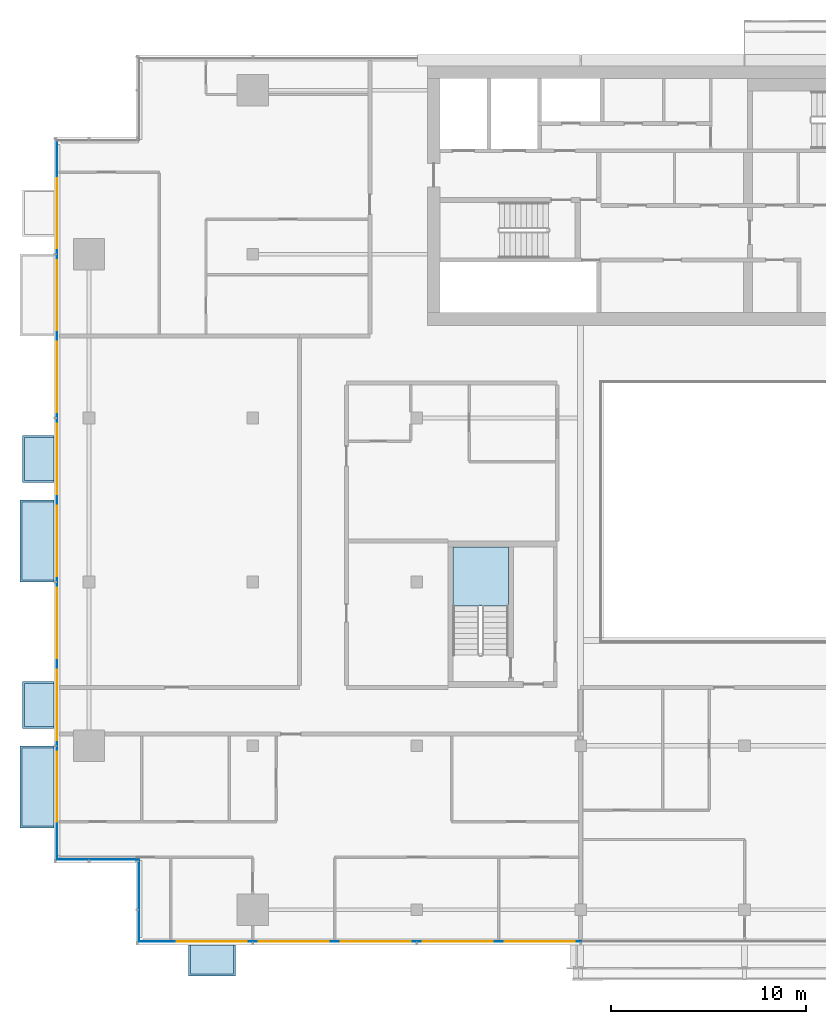
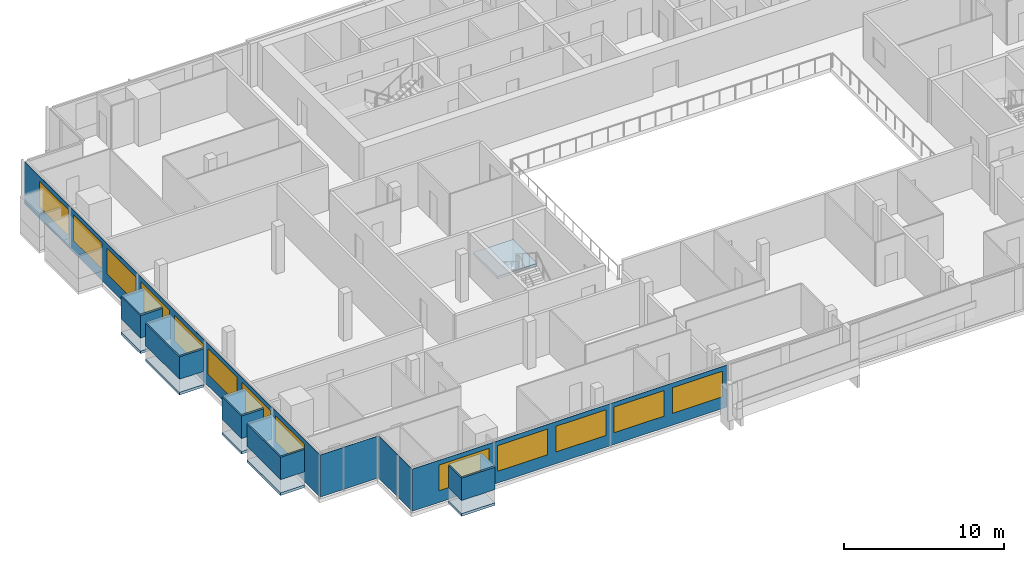
# One storey, part 14 of 27: 14 plates, 13 windows, 6 slabs, 13 openings, 5 elements without a shape of their own.
"""IFC4 building model written with IfcOpenShell, lengths in metres."""

from ifc_helpers import new_model, si_unit, direction, frame, frame_2d, origin, place, context, subcontext, project, spatial, polyline, rectangle, outline, extrude, material, layer, layer_set, type_object, element, fill, aggregate, save


model = new_model("IFC4")

# Units and contexts
model_context = context("Model", 3, precision=1e-05, world=origin(), true_north=direction((0.0, 1.0)))
body_context = subcontext(model_context, "Body", "Model", "MODEL_VIEW")
ifc_project = project(units=[si_unit("LENGTHUNIT", "METRE"), si_unit("AREAUNIT", "SQUARE_METRE"), si_unit("VOLUMEUNIT", "CUBIC_METRE"), si_unit("PLANEANGLEUNIT", "RADIAN"), si_unit("MASSUNIT", "GRAM", prefix="KILO")], contexts=[model_context])

# Site, building, storey
site_placement = place(None, origin())
site = spatial("IfcSite", under=ifc_project, at=site_placement, CompositionType="ELEMENT")
building_placement = place(site_placement, origin())
building = spatial("IfcBuilding", under=site, at=building_placement, Name="Saffron Gate Tower", CompositionType="ELEMENT")
storey_placement = place(building_placement, frame((0.0, 0.0, 209.10009765625)))
storey = spatial("IfcBuildingStorey", under=building, at=storey_placement, Name="L50", CompositionType="ELEMENT", Elevation=209.10009765625)

# Curtain wall, plate, openings, windows
ifc_material_1 = material(Name="Aluminium, bronze anodised", Category="aluminium")
curtain_wall_type_1 = type_object("IfcCurtainWallType", Name="CWS1 curtain wall front facade", PredefinedType="NOTDEFINED", material=ifc_material_1)
curtain_wall_1_placement = place(storey_placement, origin())
curtain_wall_1 = element("IfcCurtainWall", 1, at=curtain_wall_1_placement, inside=storey, type_object=curtain_wall_type_1, Name="CWS1 run 1", PredefinedType="NOTDEFINED")
ifc_material_2 = material(Name="Fritted bronze-tinted laminated glass", Category="glass")
ifc_layer_1 = layer(ifc_material_2, 0.028076171875)
ifc_layer_set_1 = layer_set([ifc_layer_1], Name="CWS1 fixed glass")
plate_type_1 = type_object("IfcPlateType", Name="CWS1 fixed glass", PredefinedType="CURTAIN_PANEL", material=ifc_layer_set_1)
plate_1_placement = place(storey_placement, frame((52.387939453125, 30.174072265625, 0.0), z_axis=(0.0, 0.0, 1.0), x_axis=(1.0, 0.0, 0.0)))
plate_1 = element("IfcPlate", 2, at=plate_1_placement, type_object=plate_type_1, Name="CWS1 glass panel", PredefinedType="CURTAIN_PANEL", context=body_context, shape_type="SweptSolid", body=[
    extrude(rectangle(XDim=22.64208984375, YDim=0.028076171875, at=frame_2d((11.321044921875, 0.0))), origin(), (0.0, 0.0, 1.0), 3.199951171875),
])
opening_1_placement = place(plate_1_placement, frame((1.912109375, 0.0, 0.89990234375)))
opening_1 = element("IfcOpeningElement", 3, at=opening_1_placement, cuts=plate_1, Name="Opening W1", PredefinedType="OPENING", context=body_context, shape_type="SweptSolid", body=[
    extrude(rectangle(XDim=3.60009765625, YDim=1.949951171875, at=frame_2d((1.800048828125, 0.97509765625))), frame((0.0, 0.02392578125, 0.0), z_axis=(0.0, -1.0, 0.0), x_axis=(1.0, 0.0, 0.0)), (0.0, 0.0, 1.0), 0.048095703125),
])
opening_2_placement = place(plate_1_placement, frame((6.112060546875, 0.0, 0.89990234375)))
opening_2 = element("IfcOpeningElement", 4, at=opening_2_placement, cuts=plate_1, Name="Opening W1", PredefinedType="OPENING", context=body_context, shape_type="SweptSolid", body=[
    extrude(rectangle(XDim=3.60009765625, YDim=1.949951171875, at=frame_2d((1.800048828125, 0.97509765625))), frame((0.0, 0.02392578125, 0.0), z_axis=(0.0, -1.0, 0.0), x_axis=(1.0, 0.0, 0.0)), (0.0, 0.0, 1.0), 0.048095703125),
])
opening_3_placement = place(plate_1_placement, frame((10.31201171875, 0.0, 0.89990234375)))
opening_3 = element("IfcOpeningElement", 5, at=opening_3_placement, cuts=plate_1, Name="Opening W1", PredefinedType="OPENING", context=body_context, shape_type="SweptSolid", body=[
    extrude(rectangle(XDim=3.60009765625, YDim=1.949951171875, at=frame_2d((1.800048828125, 0.97509765625))), frame((0.0, 0.02392578125, 0.0), z_axis=(0.0, -1.0, 0.0), x_axis=(1.0, 0.0, 0.0)), (0.0, 0.0, 1.0), 0.048095703125),
])
opening_4_placement = place(plate_1_placement, frame((14.511962890625, 0.0, 0.89990234375)))
opening_4 = element("IfcOpeningElement", 6, at=opening_4_placement, cuts=plate_1, Name="Opening W1", PredefinedType="OPENING", context=body_context, shape_type="SweptSolid", body=[
    extrude(rectangle(XDim=3.60009765625, YDim=1.949951171875, at=frame_2d((1.800048828125, 0.97509765625))), frame((0.0, 0.02392578125, 0.0), z_axis=(0.0, -1.0, 0.0), x_axis=(1.0, 0.0, 0.0)), (0.0, 0.0, 1.0), 0.048095703125),
])
opening_5_placement = place(plate_1_placement, frame((18.7119140625, 0.0, 0.89990234375)))
opening_5 = element("IfcOpeningElement", 7, at=opening_5_placement, cuts=plate_1, Name="Opening W1", PredefinedType="OPENING", context=body_context, shape_type="SweptSolid", body=[
    extrude(rectangle(XDim=3.60009765625, YDim=1.949951171875, at=frame_2d((1.800048828125, 0.97509765625))), frame((0.0, 0.02392578125, 0.0), z_axis=(0.0, -1.0, 0.0), x_axis=(1.0, 0.0, 0.0)), (0.0, 0.0, 1.0), 0.048095703125),
])
ifc_material_3 = material(Name="Fritted bronze-tinted laminated glass in bronze frame", Category="glass")
ifc_layer_2 = layer(ifc_material_3, 0.06005859375)
ifc_layer_set_2 = layer_set([ifc_layer_2], Name="W1 operable panel 3600x1950")
window_type = type_object("IfcWindowType", Name="W1 operable panel 3600x1950", PartitioningType="DOUBLE_PANEL_HORIZONTAL", PredefinedType="WINDOW", material=ifc_layer_set_2)
window_1_placement = place(opening_1_placement, origin())
window_1 = element("IfcWindow", 8, at=window_1_placement, type_object=window_type, Name="W1 operable panel", OverallHeight=1.949951171875, OverallWidth=3.60009765625, PartitioningType="SINGLE_PANEL", PredefinedType="WINDOW", context=body_context, shape_type="SweptSolid", body=[
    extrude(rectangle(XDim=3.60009765625, YDim=1.949951171875, at=frame_2d((1.800048828125, 0.97509765625))), frame((0.0, 0.013671875, 0.0), z_axis=(0.0, -1.0, 0.0), x_axis=(1.0, 0.0, 0.0)), (0.0, 0.0, 1.0), 0.027587890625),
])
fill(opening_1, window_1)
window_2_placement = place(opening_2_placement, origin())
window_2 = element("IfcWindow", 9, at=window_2_placement, type_object=window_type, Name="W1 operable panel", OverallHeight=1.949951171875, OverallWidth=3.60009765625, PartitioningType="SINGLE_PANEL", PredefinedType="WINDOW", context=body_context, shape_type="SweptSolid", body=[
    extrude(rectangle(XDim=3.60009765625, YDim=1.949951171875, at=frame_2d((1.800048828125, 0.97509765625))), frame((0.0, 0.013671875, 0.0), z_axis=(0.0, -1.0, 0.0), x_axis=(1.0, 0.0, 0.0)), (0.0, 0.0, 1.0), 0.027587890625),
])
fill(opening_2, window_2)
window_3_placement = place(opening_3_placement, origin())
window_3 = element("IfcWindow", 10, at=window_3_placement, type_object=window_type, Name="W1 operable panel", OverallHeight=1.949951171875, OverallWidth=3.60009765625, PartitioningType="SINGLE_PANEL", PredefinedType="WINDOW", context=body_context, shape_type="SweptSolid", body=[
    extrude(rectangle(XDim=3.60009765625, YDim=1.949951171875, at=frame_2d((1.800048828125, 0.97509765625))), frame((0.0, 0.013671875, 0.0), z_axis=(0.0, -1.0, 0.0), x_axis=(1.0, 0.0, 0.0)), (0.0, 0.0, 1.0), 0.027587890625),
])
fill(opening_3, window_3)
window_4_placement = place(opening_4_placement, origin())
window_4 = element("IfcWindow", 11, at=window_4_placement, type_object=window_type, Name="W1 operable panel", OverallHeight=1.949951171875, OverallWidth=3.60009765625, PartitioningType="SINGLE_PANEL", PredefinedType="WINDOW", context=body_context, shape_type="SweptSolid", body=[
    extrude(rectangle(XDim=3.60009765625, YDim=1.949951171875, at=frame_2d((1.800048828125, 0.97509765625))), frame((0.0, 0.013671875, 0.0), z_axis=(0.0, -1.0, 0.0), x_axis=(1.0, 0.0, 0.0)), (0.0, 0.0, 1.0), 0.027587890625),
])
fill(opening_4, window_4)
window_5_placement = place(opening_5_placement, origin())
window_5 = element("IfcWindow", 12, at=window_5_placement, type_object=window_type, Name="W1 operable panel", OverallHeight=1.949951171875, OverallWidth=3.60009765625, PartitioningType="SINGLE_PANEL", PredefinedType="WINDOW", context=body_context, shape_type="SweptSolid", body=[
    extrude(rectangle(XDim=3.60009765625, YDim=1.949951171875, at=frame_2d((1.800048828125, 0.97509765625))), frame((0.0, 0.013671875, 0.0), z_axis=(0.0, -1.0, 0.0), x_axis=(1.0, 0.0, 0.0)), (0.0, 0.0, 1.0), 0.027587890625),
])
fill(opening_5, window_5)
aggregate(curtain_wall_1, [plate_1, window_1, window_2, window_3, window_4, window_5])

curtain_wall_type_2 = type_object("IfcCurtainWallType", Name="CWS2 curtain wall side facades", PredefinedType="NOTDEFINED", material=ifc_material_1)
curtain_wall_2_placement = place(storey_placement, origin())
curtain_wall_2 = element("IfcCurtainWall", 13, at=curtain_wall_2_placement, inside=storey, type_object=curtain_wall_type_2, Name="CWS2 run 10", PredefinedType="NOTDEFINED")
ifc_layer_3 = layer(ifc_material_2, 0.028076171875)
ifc_layer_set_3 = layer_set([ifc_layer_3], Name="CWS2 fixed glass")
plate_type_2 = type_object("IfcPlateType", Name="CWS2 fixed glass", PredefinedType="CURTAIN_PANEL", material=ifc_layer_set_3)
plate_2_placement = place(storey_placement, frame((48.174072265625, 71.2119140625, 0.0), z_axis=(0.0, 0.0, 1.0), x_axis=(0.0, -1.0, 0.0)))
plate_2 = element("IfcPlate", 14, at=plate_2_placement, type_object=plate_type_2, Name="CWS2 glass panel", PredefinedType="CURTAIN_PANEL", context=body_context, shape_type="SweptSolid", body=[
    extrude(rectangle(XDim=36.823974609375, YDim=0.028076171875, at=frame_2d((18.412109375, 0.0))), origin(), (0.0, 0.0, 1.0), 3.199951171875),
])
opening_6_placement = place(plate_2_placement, frame((1.912109375, 0.0, 0.89990234375)))
opening_6 = element("IfcOpeningElement", 15, at=opening_6_placement, cuts=plate_2, Name="Opening W1", PredefinedType="OPENING", context=body_context, shape_type="SweptSolid", body=[
    extrude(rectangle(XDim=3.60009765625, YDim=1.949951171875, at=frame_2d((1.800048828125, 0.97509765625))), frame((0.0, 0.02392578125, 0.0), z_axis=(0.0, -1.0, 0.0), x_axis=(1.0, 0.0, 0.0)), (0.0, 0.0, 1.0), 0.048095703125),
])
opening_7_placement = place(plate_2_placement, frame((6.112060546875, 0.0, 0.89990234375)))
opening_7 = element("IfcOpeningElement", 16, at=opening_7_placement, cuts=plate_2, Name="Opening W1", PredefinedType="OPENING", context=body_context, shape_type="SweptSolid", body=[
    extrude(rectangle(XDim=3.60009765625, YDim=1.949951171875, at=frame_2d((1.800048828125, 0.97509765625))), frame((0.0, 0.02392578125, 0.0), z_axis=(0.0, -1.0, 0.0), x_axis=(1.0, 0.0, 0.0)), (0.0, 0.0, 1.0), 0.048095703125),
])
opening_8_placement = place(plate_2_placement, frame((10.31201171875, 0.0, 0.89990234375)))
opening_8 = element("IfcOpeningElement", 17, at=opening_8_placement, cuts=plate_2, Name="Opening W1", PredefinedType="OPENING", context=body_context, shape_type="SweptSolid", body=[
    extrude(rectangle(XDim=3.60009765625, YDim=1.949951171875, at=frame_2d((1.800048828125, 0.97509765625))), frame((0.0, 0.02392578125, 0.0), z_axis=(0.0, -1.0, 0.0), x_axis=(1.0, 0.0, 0.0)), (0.0, 0.0, 1.0), 0.048095703125),
])
opening_9_placement = place(plate_2_placement, frame((14.511962890625, 0.0, 0.89990234375)))
opening_9 = element("IfcOpeningElement", 18, at=opening_9_placement, cuts=plate_2, Name="Opening W1", PredefinedType="OPENING", context=body_context, shape_type="SweptSolid", body=[
    extrude(rectangle(XDim=3.60009765625, YDim=1.949951171875, at=frame_2d((1.800048828125, 0.97509765625))), frame((0.0, 0.02392578125, 0.0), z_axis=(0.0, -1.0, 0.0), x_axis=(1.0, 0.0, 0.0)), (0.0, 0.0, 1.0), 0.048095703125),
])
opening_10_placement = place(plate_2_placement, frame((18.7119140625, 0.0, 0.89990234375)))
opening_10 = element("IfcOpeningElement", 19, at=opening_10_placement, cuts=plate_2, Name="Opening W1", PredefinedType="OPENING", context=body_context, shape_type="SweptSolid", body=[
    extrude(rectangle(XDim=3.60009765625, YDim=1.949951171875, at=frame_2d((1.800048828125, 0.97509765625))), frame((0.0, 0.02392578125, 0.0), z_axis=(0.0, -1.0, 0.0), x_axis=(1.0, 0.0, 0.0)), (0.0, 0.0, 1.0), 0.048095703125),
])
opening_11_placement = place(plate_2_placement, frame((22.912109375, 0.0, 0.89990234375)))
opening_11 = element("IfcOpeningElement", 20, at=opening_11_placement, cuts=plate_2, Name="Opening W1", PredefinedType="OPENING", context=body_context, shape_type="SweptSolid", body=[
    extrude(rectangle(XDim=3.60009765625, YDim=1.949951171875, at=frame_2d((1.800048828125, 0.97509765625))), frame((0.0, 0.02392578125, 0.0), z_axis=(0.0, -1.0, 0.0), x_axis=(1.0, 0.0, 0.0)), (0.0, 0.0, 1.0), 0.048095703125),
])
opening_12_placement = place(plate_2_placement, frame((27.112060546875, 0.0, 0.89990234375)))
opening_12 = element("IfcOpeningElement", 21, at=opening_12_placement, cuts=plate_2, Name="Opening W1", PredefinedType="OPENING", context=body_context, shape_type="SweptSolid", body=[
    extrude(rectangle(XDim=3.60009765625, YDim=1.949951171875, at=frame_2d((1.800048828125, 0.97509765625))), frame((0.0, 0.02392578125, 0.0), z_axis=(0.0, -1.0, 0.0), x_axis=(1.0, 0.0, 0.0)), (0.0, 0.0, 1.0), 0.048095703125),
])
opening_13_placement = place(plate_2_placement, frame((31.31201171875, 0.0, 0.89990234375)))
opening_13 = element("IfcOpeningElement", 22, at=opening_13_placement, cuts=plate_2, Name="Opening W1", PredefinedType="OPENING", context=body_context, shape_type="SweptSolid", body=[
    extrude(rectangle(XDim=3.60009765625, YDim=1.949951171875, at=frame_2d((1.800048828125, 0.97509765625))), frame((0.0, 0.02392578125, 0.0), z_axis=(0.0, -1.0, 0.0), x_axis=(1.0, 0.0, 0.0)), (0.0, 0.0, 1.0), 0.048095703125),
])
window_6_placement = place(opening_6_placement, origin())
window_6 = element("IfcWindow", 23, at=window_6_placement, type_object=window_type, Name="W1 operable panel", OverallHeight=1.949951171875, OverallWidth=3.60009765625, PartitioningType="SINGLE_PANEL", PredefinedType="WINDOW", context=body_context, shape_type="SweptSolid", body=[
    extrude(rectangle(XDim=3.60009765625, YDim=1.949951171875, at=frame_2d((1.800048828125, 0.97509765625))), frame((0.0, 0.013671875, 0.0), z_axis=(0.0, -1.0, 0.0), x_axis=(1.0, 0.0, 0.0)), (0.0, 0.0, 1.0), 0.027587890625),
])
fill(opening_6, window_6)
window_7_placement = place(opening_7_placement, origin())
window_7 = element("IfcWindow", 24, at=window_7_placement, type_object=window_type, Name="W1 operable panel", OverallHeight=1.949951171875, OverallWidth=3.60009765625, PartitioningType="SINGLE_PANEL", PredefinedType="WINDOW", context=body_context, shape_type="SweptSolid", body=[
    extrude(rectangle(XDim=3.60009765625, YDim=1.949951171875, at=frame_2d((1.800048828125, 0.97509765625))), frame((0.0, 0.013671875, 0.0), z_axis=(0.0, -1.0, 0.0), x_axis=(1.0, 0.0, 0.0)), (0.0, 0.0, 1.0), 0.027587890625),
])
fill(opening_7, window_7)
window_8_placement = place(opening_8_placement, origin())
window_8 = element("IfcWindow", 25, at=window_8_placement, type_object=window_type, Name="W1 operable panel", OverallHeight=1.949951171875, OverallWidth=3.60009765625, PartitioningType="SINGLE_PANEL", PredefinedType="WINDOW", context=body_context, shape_type="SweptSolid", body=[
    extrude(rectangle(XDim=3.60009765625, YDim=1.949951171875, at=frame_2d((1.800048828125, 0.97509765625))), frame((0.0, 0.013671875, 0.0), z_axis=(0.0, -1.0, 0.0), x_axis=(1.0, 0.0, 0.0)), (0.0, 0.0, 1.0), 0.027587890625),
])
fill(opening_8, window_8)
window_9_placement = place(opening_9_placement, origin())
window_9 = element("IfcWindow", 26, at=window_9_placement, type_object=window_type, Name="W1 operable panel", OverallHeight=1.949951171875, OverallWidth=3.60009765625, PartitioningType="SINGLE_PANEL", PredefinedType="WINDOW", context=body_context, shape_type="SweptSolid", body=[
    extrude(rectangle(XDim=3.60009765625, YDim=1.949951171875, at=frame_2d((1.800048828125, 0.97509765625))), frame((0.0, 0.013671875, 0.0), z_axis=(0.0, -1.0, 0.0), x_axis=(1.0, 0.0, 0.0)), (0.0, 0.0, 1.0), 0.027587890625),
])
fill(opening_9, window_9)
window_10_placement = place(opening_10_placement, origin())
window_10 = element("IfcWindow", 27, at=window_10_placement, type_object=window_type, Name="W1 operable panel", OverallHeight=1.949951171875, OverallWidth=3.60009765625, PartitioningType="SINGLE_PANEL", PredefinedType="WINDOW", context=body_context, shape_type="SweptSolid", body=[
    extrude(rectangle(XDim=3.60009765625, YDim=1.949951171875, at=frame_2d((1.800048828125, 0.97509765625))), frame((0.0, 0.013671875, 0.0), z_axis=(0.0, -1.0, 0.0), x_axis=(1.0, 0.0, 0.0)), (0.0, 0.0, 1.0), 0.027587890625),
])
fill(opening_10, window_10)
window_11_placement = place(opening_11_placement, origin())
window_11 = element("IfcWindow", 28, at=window_11_placement, type_object=window_type, Name="W1 operable panel", OverallHeight=1.949951171875, OverallWidth=3.60009765625, PartitioningType="SINGLE_PANEL", PredefinedType="WINDOW", context=body_context, shape_type="SweptSolid", body=[
    extrude(rectangle(XDim=3.60009765625, YDim=1.949951171875, at=frame_2d((1.800048828125, 0.97509765625))), frame((0.0, 0.013671875, 0.0), z_axis=(0.0, -1.0, 0.0), x_axis=(1.0, 0.0, 0.0)), (0.0, 0.0, 1.0), 0.027587890625),
])
fill(opening_11, window_11)
window_12_placement = place(opening_12_placement, origin())
window_12 = element("IfcWindow", 29, at=window_12_placement, type_object=window_type, Name="W1 operable panel", OverallHeight=1.949951171875, OverallWidth=3.60009765625, PartitioningType="SINGLE_PANEL", PredefinedType="WINDOW", context=body_context, shape_type="SweptSolid", body=[
    extrude(rectangle(XDim=3.60009765625, YDim=1.949951171875, at=frame_2d((1.800048828125, 0.97509765625))), frame((0.0, 0.013671875, 0.0), z_axis=(0.0, -1.0, 0.0), x_axis=(1.0, 0.0, 0.0)), (0.0, 0.0, 1.0), 0.027587890625),
])
fill(opening_12, window_12)
window_13_placement = place(opening_13_placement, origin())
window_13 = element("IfcWindow", 30, at=window_13_placement, type_object=window_type, Name="W1 operable panel", OverallHeight=1.949951171875, OverallWidth=3.60009765625, PartitioningType="SINGLE_PANEL", PredefinedType="WINDOW", context=body_context, shape_type="SweptSolid", body=[
    extrude(rectangle(XDim=3.60009765625, YDim=1.949951171875, at=frame_2d((1.800048828125, 0.97509765625))), frame((0.0, 0.013671875, 0.0), z_axis=(0.0, -1.0, 0.0), x_axis=(1.0, 0.0, 0.0)), (0.0, 0.0, 1.0), 0.027587890625),
])
fill(opening_13, window_13)
aggregate(curtain_wall_2, [plate_2, window_6, window_7, window_8, window_9, window_10, window_11, window_12, window_13])

# Curtain wall, plate
curtain_wall_type_3 = type_object("IfcCurtainWallType", Name="CWS4 curtain wall corner returns", PredefinedType="NOTDEFINED", material=ifc_material_1)
curtain_wall_3_placement = place(storey_placement, origin())
curtain_wall_3 = element("IfcCurtainWall", 31, at=curtain_wall_3_placement, inside=storey, type_object=curtain_wall_type_3, Name="CWS4 run 11", PredefinedType="NOTDEFINED")
ifc_layer_4 = layer(ifc_material_2, 0.028076171875)
ifc_layer_set_4 = layer_set([ifc_layer_4], Name="CWS4 fixed glass")
plate_type_3 = type_object("IfcPlateType", Name="CWS4 fixed glass", PredefinedType="CURTAIN_PANEL", material=ifc_layer_set_4)
plate_3_placement = place(storey_placement, frame((48.18798828125, 34.3740234375, 0.0), z_axis=(0.0, 0.0, 1.0), x_axis=(1.0, 0.0, 0.0)))
plate_3 = element("IfcPlate", 32, at=plate_3_placement, type_object=plate_type_3, Name="CWS4 glass panel", PredefinedType="CURTAIN_PANEL", context=body_context, shape_type="SweptSolid", body=[
    extrude(rectangle(XDim=4.172119140625, YDim=0.028076171875, at=frame_2d((2.0859375, 0.0))), origin(), (0.0, 0.0, 1.0), 3.199951171875),
])
aggregate(curtain_wall_3, [plate_3])

curtain_wall_4_placement = place(storey_placement, origin())
curtain_wall_4 = element("IfcCurtainWall", 33, at=curtain_wall_4_placement, inside=storey, type_object=curtain_wall_type_3, Name="CWS4 run 12", PredefinedType="NOTDEFINED")
plate_4_placement = place(storey_placement, frame((52.3740234375, 34.360107421875, 0.0), z_axis=(0.0, 0.0, 1.0), x_axis=(0.0, -1.0, 0.0)))
plate_4 = element("IfcPlate", 34, at=plate_4_placement, type_object=plate_type_3, Name="CWS4 glass panel", PredefinedType="CURTAIN_PANEL", context=body_context, shape_type="SweptSolid", body=[
    extrude(rectangle(XDim=4.172119140625, YDim=0.028076171875, at=frame_2d((2.0859375, 0.0))), origin(), (0.0, 0.0, 1.0), 3.199951171875),
])
aggregate(curtain_wall_4, [plate_4])

# Stair, slab
ifc_material_4 = material(Name="Concrete C40", Category="concrete")
stair_type = type_object("IfcStairType", Name="ST7 Stair 1350 wide, 20 risers of 180", PredefinedType="HALF_TURN_STAIR", material=ifc_material_4)
stair_placement = place(storey_placement, origin())
stair = element("IfcStair", 35, at=stair_placement, inside=storey, type_object=stair_type, Name="L50 Exit stair D", PredefinedType="HALF_TURN_STAIR")
ifc_layer_5 = layer(ifc_material_4, 0.199951171875)
ifc_layer_set_5 = layer_set([ifc_layer_5], Name="SL1 Stair landing 200")
slab_type_1 = type_object("IfcSlabType", Name="SL1 Stair landing 200", PredefinedType="LANDING", material=ifc_layer_set_5)
slab_1_placement = place(storey_placement, frame((0.0, 0.0, 1.599853515625)))
slab_1 = element("IfcSlab", 36, at=slab_1_placement, type_object=slab_type_1, Name="ST-D landing 1", PredefinedType="LANDING", context=body_context, shape_type="SweptSolid", body=[
    extrude(outline(polyline([(71.300048828125, 47.3701171875), (71.300048828125, 50.39990234375), (68.449951171875, 50.39990234375), (68.449951171875, 47.3701171875), (71.300048828125, 47.3701171875)])), origin(), (0.0, 0.0, 1.0), 0.199951171875),
])
aggregate(stair, [slab_1])

# Slabs
ifc_material_5 = material(Name="Timber deck on bronze frame", Category="wood")
ifc_layer_6 = layer(ifc_material_5, 0.199951171875)
ifc_layer_set_6 = layer_set([ifc_layer_6], Name="WB1 box floor")
slab_type_2 = type_object("IfcSlabType", Name="WB1 box floor", PredefinedType="FLOOR", material=ifc_layer_set_6)
slab_2_placement = place(storey_placement, frame((0.0, 0.0, -0.2001953125)))
element("IfcSlab", 37, at=slab_2_placement, inside=storey, type_object=slab_type_2, Name="WINDOW BOX floor", PredefinedType="FLOOR", context=body_context, shape_type="SweptSolid", body=[
    extrude(outline(polyline([(54.89990234375, 30.0), (57.300048828125, 30.0), (57.300048828125, 28.39990234375), (54.89990234375, 28.39990234375), (54.89990234375, 30.0)])), origin(), (0.0, 0.0, 1.0), 0.2001953125),
])
slab_3_placement = place(storey_placement, frame((0.0, 0.0, -0.2001953125)))
element("IfcSlab", 38, at=slab_3_placement, inside=storey, type_object=slab_type_2, Name="WINDOW BOX floor", PredefinedType="FLOOR", context=body_context, shape_type="SweptSolid", body=[
    extrude(outline(polyline([(48.0, 56.10009765625), (48.0, 53.699951171875), (46.39990234375, 53.699951171875), (46.39990234375, 56.10009765625), (48.0, 56.10009765625)])), origin(), (0.0, 0.0, 1.0), 0.2001953125),
])
slab_4_placement = place(storey_placement, frame((0.0, 0.0, -0.2001953125)))
element("IfcSlab", 39, at=slab_4_placement, inside=storey, type_object=slab_type_2, Name="WINDOW BOX floor", PredefinedType="FLOOR", context=body_context, shape_type="SweptSolid", body=[
    extrude(outline(polyline([(48.0, 52.800048828125), (48.0, 48.60009765625), (46.26708984375, 48.60009765625), (46.26708984375, 52.800048828125), (48.0, 52.800048828125)])), origin(), (0.0, 0.0, 1.0), 0.2001953125),
])
slab_5_placement = place(storey_placement, frame((0.0, 0.0, -0.2001953125)))
element("IfcSlab", 40, at=slab_5_placement, inside=storey, type_object=slab_type_2, Name="WINDOW BOX floor", PredefinedType="FLOOR", context=body_context, shape_type="SweptSolid", body=[
    extrude(outline(polyline([(48.0, 43.5), (48.0, 41.10009765625), (46.39990234375, 41.10009765625), (46.39990234375, 43.5), (48.0, 43.5)])), origin(), (0.0, 0.0, 1.0), 0.2001953125),
])
slab_6_placement = place(storey_placement, frame((0.0, 0.0, -0.2001953125)))
element("IfcSlab", 41, at=slab_6_placement, inside=storey, type_object=slab_type_2, Name="WINDOW BOX floor", PredefinedType="FLOOR", context=body_context, shape_type="SweptSolid", body=[
    extrude(outline(polyline([(48.0, 40.199951171875), (48.0, 36.0), (46.26708984375, 36.0), (46.26708984375, 40.199951171875), (48.0, 40.199951171875)])), origin(), (0.0, 0.0, 1.0), 0.2001953125),
])

# Plates
ifc_layer_7 = layer(ifc_material_1, 0.1201171875)
ifc_layer_set_7 = layer_set([ifc_layer_7], Name="WB2 box roof")
plate_type_4 = type_object("IfcPlateType", Name="WB2 box roof", PredefinedType="SHEET", material=ifc_layer_set_7)
plate_5_placement = place(storey_placement, frame((0.0, 0.0, 2.699951171875)))
element("IfcPlate", 42, at=plate_5_placement, inside=storey, type_object=plate_type_4, Name="WINDOW BOX roof", PredefinedType="SHEET", context=body_context, shape_type="SweptSolid", body=[
    extrude(outline(polyline([(54.89990234375, 30.0), (57.300048828125, 30.0), (57.300048828125, 28.39990234375), (54.89990234375, 28.39990234375), (54.89990234375, 30.0)])), origin(), (0.0, 0.0, 1.0), 0.119873046875),
])
plate_6_placement = place(storey_placement, frame((0.0, 0.0, 2.699951171875)))
element("IfcPlate", 43, at=plate_6_placement, inside=storey, type_object=plate_type_4, Name="WINDOW BOX roof", PredefinedType="SHEET", context=body_context, shape_type="SweptSolid", body=[
    extrude(outline(polyline([(48.0, 56.10009765625), (48.0, 53.699951171875), (46.39990234375, 53.699951171875), (46.39990234375, 56.10009765625), (48.0, 56.10009765625)])), origin(), (0.0, 0.0, 1.0), 0.119873046875),
])
plate_7_placement = place(storey_placement, frame((0.0, 0.0, 2.699951171875)))
element("IfcPlate", 44, at=plate_7_placement, inside=storey, type_object=plate_type_4, Name="WINDOW BOX roof", PredefinedType="SHEET", context=body_context, shape_type="SweptSolid", body=[
    extrude(outline(polyline([(48.0, 52.800048828125), (48.0, 48.60009765625), (46.26708984375, 48.60009765625), (46.26708984375, 52.800048828125), (48.0, 52.800048828125)])), origin(), (0.0, 0.0, 1.0), 0.119873046875),
])
plate_8_placement = place(storey_placement, frame((0.0, 0.0, 2.699951171875)))
element("IfcPlate", 45, at=plate_8_placement, inside=storey, type_object=plate_type_4, Name="WINDOW BOX roof", PredefinedType="SHEET", context=body_context, shape_type="SweptSolid", body=[
    extrude(outline(polyline([(48.0, 43.5), (48.0, 41.10009765625), (46.39990234375, 41.10009765625), (46.39990234375, 43.5), (48.0, 43.5)])), origin(), (0.0, 0.0, 1.0), 0.119873046875),
])
plate_9_placement = place(storey_placement, frame((0.0, 0.0, 2.699951171875)))
element("IfcPlate", 46, at=plate_9_placement, inside=storey, type_object=plate_type_4, Name="WINDOW BOX roof", PredefinedType="SHEET", context=body_context, shape_type="SweptSolid", body=[
    extrude(outline(polyline([(48.0, 40.199951171875), (48.0, 36.0), (46.26708984375, 36.0), (46.26708984375, 40.199951171875), (48.0, 40.199951171875)])), origin(), (0.0, 0.0, 1.0), 0.119873046875),
])
ifc_material_6 = material(Name="Clear low-iron laminated glass", Category="glass")
ifc_layer_8 = layer(ifc_material_6, 0.10009765625)
ifc_layer_set_8 = layer_set([ifc_layer_8], Name="WB6 box glazing")
plate_type_5 = type_object("IfcPlateType", Name="WB6 box glazing", PredefinedType="SHEET", material=ifc_layer_set_8)
plate_10_placement = place(storey_placement, frame((0.0, 0.0, 1.0)))
element("IfcPlate", 47, at=plate_10_placement, inside=storey, type_object=plate_type_5, Name="WINDOW BOX glazing", PredefinedType="SHEET", context=body_context, shape_type="SweptSolid", body=[
    extrude(outline(polyline([(54.89990234375, 30.0), (55.0, 30.0), (55.0, 28.5), (57.199951171875, 28.5), (57.199951171875, 30.0), (57.300048828125, 30.0), (57.300048828125, 28.39990234375), (54.89990234375, 28.39990234375), (54.89990234375, 30.0)])), origin(), (0.0, 0.0, 1.0), 1.699951171875),
])
plate_11_placement = place(storey_placement, frame((0.0, 0.0, 1.0)))
element("IfcPlate", 48, at=plate_11_placement, inside=storey, type_object=plate_type_5, Name="WINDOW BOX glazing", PredefinedType="SHEET", context=body_context, shape_type="SweptSolid", body=[
    extrude(outline(polyline([(48.0, 56.10009765625), (48.0, 56.0), (46.5, 56.0), (46.5, 53.800048828125), (48.0, 53.800048828125), (48.0, 53.699951171875), (46.39990234375, 53.699951171875), (46.39990234375, 56.10009765625), (48.0, 56.10009765625)])), origin(), (0.0, 0.0, 1.0), 1.699951171875),
])
plate_12_placement = place(storey_placement, frame((0.0, 0.0, 1.0)))
element("IfcPlate", 49, at=plate_12_placement, inside=storey, type_object=plate_type_5, Name="WINDOW BOX glazing", PredefinedType="SHEET", context=body_context, shape_type="SweptSolid", body=[
    extrude(outline(polyline([(48.0, 52.800048828125), (48.0, 52.699951171875), (46.366943359375, 52.699951171875), (46.366943359375, 48.699951171875), (48.0, 48.699951171875), (48.0, 48.60009765625), (46.26708984375, 48.60009765625), (46.26708984375, 52.800048828125), (48.0, 52.800048828125)])), origin(), (0.0, 0.0, 1.0), 1.699951171875),
])
plate_13_placement = place(storey_placement, frame((0.0, 0.0, 1.0)))
element("IfcPlate", 50, at=plate_13_placement, inside=storey, type_object=plate_type_5, Name="WINDOW BOX glazing", PredefinedType="SHEET", context=body_context, shape_type="SweptSolid", body=[
    extrude(outline(polyline([(48.0, 43.5), (48.0, 43.39990234375), (46.5, 43.39990234375), (46.5, 41.199951171875), (48.0, 41.199951171875), (48.0, 41.10009765625), (46.39990234375, 41.10009765625), (46.39990234375, 43.5), (48.0, 43.5)])), origin(), (0.0, 0.0, 1.0), 1.699951171875),
])
plate_14_placement = place(storey_placement, frame((0.0, 0.0, 1.0)))
element("IfcPlate", 51, at=plate_14_placement, inside=storey, type_object=plate_type_5, Name="WINDOW BOX glazing", PredefinedType="SHEET", context=body_context, shape_type="SweptSolid", body=[
    extrude(outline(polyline([(48.0, 40.199951171875), (48.0, 40.10009765625), (46.366943359375, 40.10009765625), (46.366943359375, 36.10009765625), (48.0, 36.10009765625), (48.0, 36.0), (46.26708984375, 36.0), (46.26708984375, 40.199951171875), (48.0, 40.199951171875)])), origin(), (0.0, 0.0, 1.0), 1.699951171875),
])

save(model, "model.ifc")
